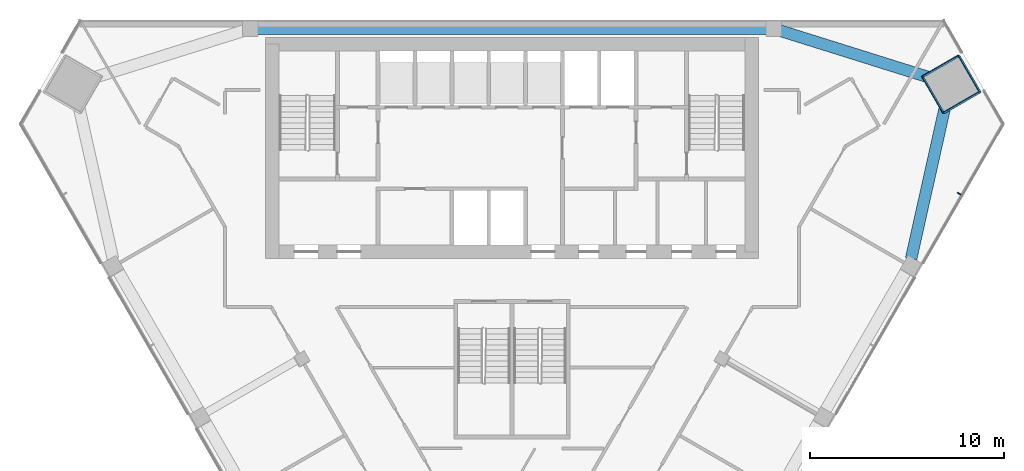
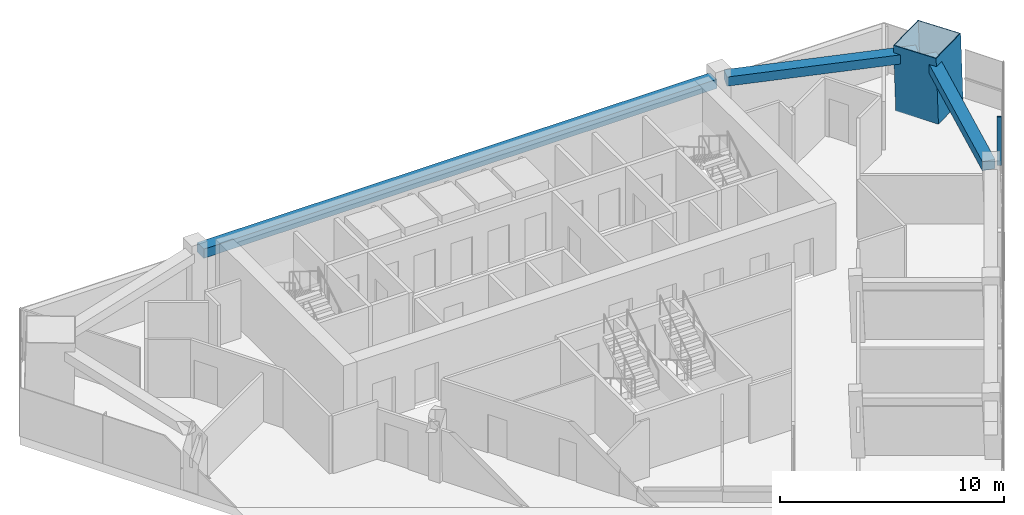
# One storey, part 6 of 12: 3 beams, 2 members, 1 element without a shape of its own.
"""IFC4 building model written with IfcOpenShell, lengths in metres."""

from ifc_helpers import new_model, si_unit, direction, frame, origin, origin_2d, place, context, subcontext, project, spatial, rectangle, hollow_rectangle, extrude, material, layer, layer_set, material_profile, profile_set, type_object, element, aggregate, save


model = new_model("IFC4")

# Units and contexts
model_context = context("Model", 3, precision=1e-05, world=origin(), true_north=direction((0.0, 1.0)))
body_context = subcontext(model_context, "Body", "Model", "MODEL_VIEW")
ifc_project = project(units=[si_unit("LENGTHUNIT", "METRE"), si_unit("AREAUNIT", "SQUARE_METRE"), si_unit("VOLUMEUNIT", "CUBIC_METRE"), si_unit("PLANEANGLEUNIT", "RADIAN"), si_unit("MASSUNIT", "GRAM", prefix="KILO")], contexts=[model_context])

# Site, building, storey
site_placement = place(None, origin())
site = spatial("IfcSite", under=ifc_project, at=site_placement, CompositionType="ELEMENT")
building_placement = place(site_placement, origin())
building = spatial("IfcBuilding", under=site, at=building_placement, Name="Altiplano Prism Tower", CompositionType="ELEMENT")
storey_placement = place(building_placement, frame((0.0, 0.0, 205.199951171875)))
storey = spatial("IfcBuildingStorey", under=building, at=storey_placement, Name="L53", CompositionType="ELEMENT", Elevation=205.199951171875)

# Curtain wall, member
ifc_material_1 = material(Name="Aluminium and glass", Category="aluminium")
ifc_layer = layer(ifc_material_1, 0.303955078125)
ifc_layer_set = layer_set([ifc_layer], Name="Aluminium and glass")
curtain_wall_type = type_object("IfcCurtainWallType", Name="CW2 lounge-band unitised glazing", PredefinedType="NOTDEFINED", material=ifc_layer_set)
curtain_wall_placement = place(storey_placement, origin())
curtain_wall = element("IfcCurtainWall", 1, at=curtain_wall_placement, inside=storey, type_object=curtain_wall_type, Name="CW2 curtain wall south-east face L53", PredefinedType="NOTDEFINED")
ifc_material_2 = material(Name="Aluminium", Category="aluminium")
ifc_material_profile_1 = material_profile(ifc_material_2, rectangle(XDim=0.199951171875, YDim=0.06005859375, at=origin_2d()), Name="CW2 mullion 60 x 200")
ifc_profile_set_1 = profile_set([ifc_material_profile_1], Name="Aluminium")
member_type_1 = type_object("IfcMemberType", Name="CW2 mullion 60 x 200", PredefinedType="MULLION", material=ifc_profile_set_1)
member_1_placement = place(storey_placement, frame((108.05029296875, 96.048583984375, 0.0), z_axis=(0.0, 0.0, 1.0), x_axis=(-0.866025406943, 0.499999994528, 0.0)))
member_1 = element("IfcMember", 2, at=member_1_placement, type_object=member_type_1, Name="CW2 mullion", PredefinedType="MULLION", context=body_context, shape_type="SweptSolid", body=[
    extrude(rectangle(XDim=0.199951171875, YDim=0.06005859375, at=origin_2d()), origin(), (0.0, 0.0, 1.0), 2.650146484375),
])
aggregate(curtain_wall, [member_1])

# Beams
ifc_material_3 = material(Name="Concrete C60/75", Category="concrete")
ifc_material_profile_2 = material_profile(ifc_material_3, rectangle(XDim=0.60009765625, YDim=0.5, at=origin_2d()), Name="Edge beam 600x500")
ifc_profile_set_2 = profile_set([ifc_material_profile_2], Name="Concrete C60/75")
beam_type = type_object("IfcBeamType", Name="Edge beam 600x500", PredefinedType="SPANDREL", material=ifc_profile_set_2)
beam_1_placement = place(storey_placement, frame((105.572509765625, 92.704833984375, 2.900146484375), z_axis=(0.218106350401, 0.975925007321, 0.0), x_axis=(-0.975925007321, 0.218106350401, 0.0)))
element("IfcBeam", 3, at=beam_1_placement, inside=storey, type_object=beam_type, Name="Edge beam P24-M2 L54", PredefinedType="SPANDREL", context=body_context, shape_type="SweptSolid", body=[
    extrude(rectangle(XDim=0.60009765625, YDim=0.5, at=origin_2d()), origin(), (0.0, 0.0, 1.0), 8.770263671875),
])
beam_2_placement = place(storey_placement, frame((107.154052734375, 101.837646484375, 2.900146484375), z_axis=(-0.95423297274, 0.299064263555, 0.0), x_axis=(-0.299064263555, -0.95423297274, 0.0)))
element("IfcBeam", 4, at=beam_2_placement, inside=storey, type_object=beam_type, Name="Edge beam M2-P01 L54", PredefinedType="SPANDREL", context=body_context, shape_type="SweptSolid", body=[
    extrude(rectangle(XDim=0.60009765625, YDim=0.5, at=origin_2d()), origin(), (0.0, 0.0, 1.0), 8.77001953125),
])
beam_3_placement = place(storey_placement, frame((98.219970703125, 104.550048828125, 2.900146484375), z_axis=(-1.0, 0.0, 0.0), x_axis=(0.0, -1.0, 0.0)))
element("IfcBeam", 5, at=beam_3_placement, inside=storey, type_object=beam_type, Name="Edge beam P01-P04 L54", PredefinedType="SPANDREL", context=body_context, shape_type="SweptSolid", body=[
    extrude(rectangle(XDim=0.60009765625, YDim=0.5, at=origin_2d()), origin(), (0.0, 0.0, 1.0), 26.43994140625),
])

# Member
ifc_material_4 = material(Name="Steel S460", Category="steel")
ifc_material_profile_3 = material_profile(ifc_material_4, hollow_rectangle(XDim=2.199951171875, YDim=2.199951171875, WallThickness=0.0400390625, at=origin_2d()), Name="Mega column tube 2200")
ifc_profile_set_3 = profile_set([ifc_material_profile_3], Name="Steel S460")
member_type_2 = type_object("IfcMemberType", Name="Mega column tube 2200", PredefinedType="POST", material=ifc_profile_set_3)
member_2_placement = place(storey_placement, frame((107.685791015625, 101.669677734375, 0.0), z_axis=(-0.028401814599, 0.009218727412, 0.999554076572), x_axis=(0.500757500682, -0.86530264755, 0.022209314584)))
element("IfcMember", 6, at=member_2_placement, inside=storey, type_object=member_type_2, Name="Mega column tube M2 L53", PredefinedType="POST", context=body_context, shape_type="SweptSolid", body=[
    extrude(hollow_rectangle(XDim=2.199951171875, YDim=2.199951171875, WallThickness=0.0400390625, at=origin_2d()), origin(), (0.0, 0.0, 1.0), 3.601806640625),
])

save(model, "model.ifc")
